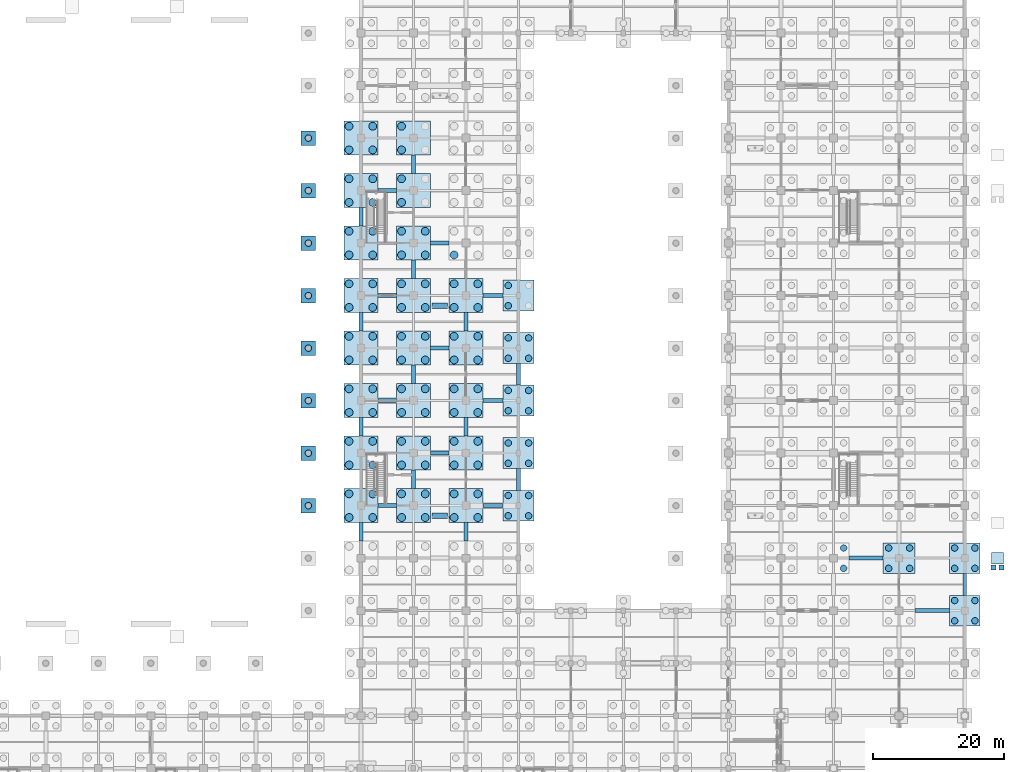
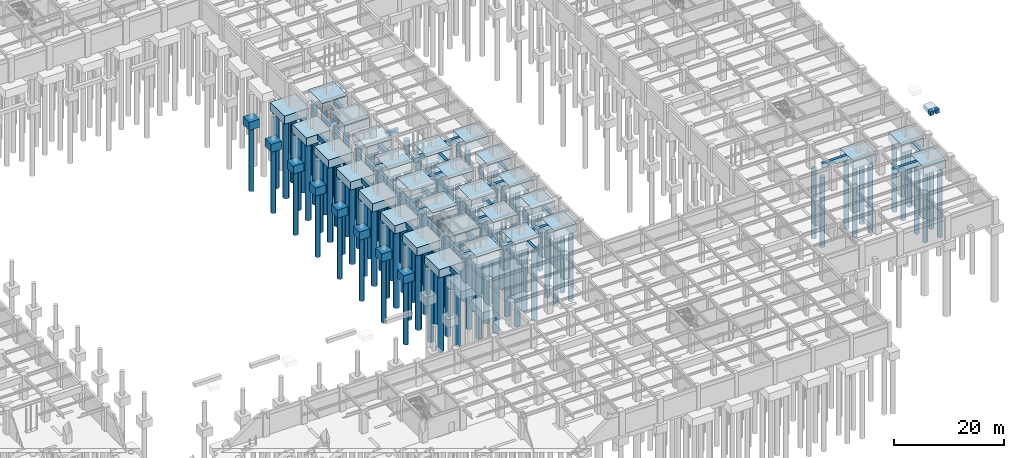
# One storey, part 11 of 97: 121 piles, 68 footings.
"""IFC4 building model written with IfcOpenShell, lengths in metres."""

from ifc_helpers import new_model, si_unit, direction, frame, origin, origin_2d, place, context, subcontext, project, spatial, rectangle, circle, extrude, material, layer, layer_set, material_profile, profile_set, type_object, element, save


model = new_model("IFC4")

# Units and contexts
model_context = context("Model", 3, precision=1e-05, world=origin(), true_north=direction((0.0, 1.0)))
body_context = subcontext(model_context, "Body", "Model", "MODEL_VIEW")
ifc_project = project(units=[si_unit("LENGTHUNIT", "METRE"), si_unit("AREAUNIT", "SQUARE_METRE"), si_unit("VOLUMEUNIT", "CUBIC_METRE"), si_unit("PLANEANGLEUNIT", "RADIAN"), si_unit("MASSUNIT", "GRAM", prefix="KILO")], contexts=[model_context])

# Site, building, storey
site_placement = place(None, origin())
site = spatial("IfcSite", under=ifc_project, at=site_placement, CompositionType="ELEMENT")
building_placement = place(site_placement, origin())
building = spatial("IfcBuilding", under=site, at=building_placement, Name="Haebicheon Civic Stadium", CompositionType="ELEMENT")
storey_placement = place(building_placement, frame((0.0, 0.0, -5.39990234375)))
storey = spatial("IfcBuildingStorey", under=building, at=storey_placement, Name="B1", CompositionType="ELEMENT", Elevation=-5.39990234375)

# Footings
ifc_material_1 = material(Name="Concrete C40/50", Category="concrete")
ifc_layer_1 = layer(ifc_material_1, 1.0, Name="Concrete C40/50")
ifc_layer_set_1 = layer_set([ifc_layer_1], Name="Concrete C40/50")
footing_type_1 = type_object("IfcFootingType", Name="FB-2800x600", PredefinedType="FOOTING_BEAM", material=ifc_layer_set_1)
for number, where, z_axis, x_axis, name in (
    (1, (144.0, 60.0, -1.0), (0.0, 0.0, 1.0), (0.0, 1.0, 0.0), "Ground tie beam Y 18-07"),
    (2, (148.0, 64.0, -1.0), (0.0, 0.0, 1.0), (1.0, 0.0, 0.0), "Ground tie beam X 18-08"),
    (3, (144.0, 76.0, -1.0), (0.0, 0.0, 1.0), (0.0, 1.0, 0.0), "Ground tie beam Y 18-09"),
    (4, (148.0, 80.0, -1.0), (0.0, 0.0, 1.0), (1.0, 0.0, 0.0), "Ground tie beam X 18-10"),
    (5, (144.0, 92.0, -1.0), (0.0, 0.0, 1.0), (0.0, 1.0, 0.0), "Ground tie beam Y 18-11"),
    (6, (148.0, 96.0, -1.0), (0.0, 0.0, 1.0), (1.0, 0.0, 0.0), "Ground tie beam X 18-12"),
    (7, (144.0, 108.0, -1.0), (0.0, 0.0, 1.0), (0.0, 1.0, 0.0), "Ground tie beam Y 18-13"),
    (8, (148.0, 112.0, -1.0), (0.0, 0.0, 1.0), (1.0, 0.0, 0.0), "Ground tie beam X 18-14"),
    (9, (152.0, 68.0, -1.0), (0.0, 0.0, 1.0), (0.0, 1.0, 0.0), "Ground tie beam Y 19-08"),
    (10, (156.0, 72.0, -1.0), (0.0, 0.0, 1.0), (1.0, 0.0, 0.0), "Ground tie beam X 19-09"),
    (11, (152.0, 84.0, -1.0), (0.0, 0.0, 1.0), (0.0, 1.0, 0.0), "Ground tie beam Y 19-10"),
    (12, (156.0, 88.0, -1.0), (0.0, 0.0, 1.0), (1.0, 0.0, 0.0), "Ground tie beam X 19-11"),
    (13, (152.0, 100.0, -1.0), (0.0, 0.0, 1.0), (0.0, 1.0, 0.0), "Ground tie beam Y 19-12"),
    (14, (156.0, 104.0, -1.0), (0.0, 0.0, 1.0), (1.0, 0.0, 0.0), "Ground tie beam X 19-13"),
    (15, (152.0, 116.0, -1.0), (0.0, 0.0, 1.0), (0.0, 1.0, 0.0), "Ground tie beam Y 19-14"),
    (16, (160.0, 60.0, -1.0), (0.0, 0.0, 1.0), (0.0, 1.0, 0.0), "Ground tie beam Y 20-07"),
    (17, (160.0, 76.0, -1.0), (0.0, 0.0, 1.0), (0.0, 1.0, 0.0), "Ground tie beam Y 20-09"),
    (18, (160.0, 92.0, -1.0), (0.0, 0.0, 1.0), (0.0, 1.0, 0.0), "Ground tie beam Y 20-11"),
):
    element("IfcFooting", number, at=place(storey_placement, frame(where, z_axis=z_axis, x_axis=x_axis)), inside=storey, type_object=footing_type_1, material=ifc_layer_set_1, Name=name, PredefinedType="FOOTING_BEAM", context=body_context, shape_type="SweptSolid", body=[
        extrude(rectangle(XDim=2.800048828125, YDim=0.60009765625, at=origin_2d()), origin(), (0.0, 0.0, 1.0), 1.0),
    ])
ifc_material_2 = material(Name="Concrete C40/50", Category="concrete")
ifc_layer_2 = layer(ifc_material_2, 1.0, Name="Concrete C40/50")
ifc_layer_set_2 = layer_set([ifc_layer_2], Name="Concrete C40/50")
footing_type_2 = type_object("IfcFootingType", Name="FB-3050x600", PredefinedType="FOOTING_BEAM", material=ifc_layer_set_2)
for number, where, z_axis, x_axis, name in (
    (19, (164.125, 64.0, -1.0), (0.0, 0.0, 1.0), (1.0, 0.0, 0.0), "Ground tie beam X 20-08"),
    (20, (164.125, 80.0, -1.0), (0.0, 0.0, 1.0), (1.0, 0.0, 0.0), "Ground tie beam X 20-10"),
    (21, (164.125, 96.0, -1.0), (0.0, 0.0, 1.0), (1.0, 0.0, 0.0), "Ground tie beam X 20-12"),
):
    element("IfcFooting", number, at=place(storey_placement, frame(where, z_axis=z_axis, x_axis=x_axis)), inside=storey, type_object=footing_type_2, material=ifc_layer_set_2, Name=name, PredefinedType="FOOTING_BEAM", context=body_context, shape_type="SweptSolid", body=[
        extrude(rectangle(XDim=3.050048828125, YDim=0.60009765625, at=origin_2d()), origin(), (0.0, 0.0, 1.0), 1.0),
    ])
ifc_material_3 = material(Name="Concrete C40/50", Category="concrete")
ifc_layer_3 = layer(ifc_material_3, 1.0, Name="Concrete C40/50")
ifc_layer_set_3 = layer_set([ifc_layer_3], Name="Concrete C40/50")
footing_type_3 = type_object("IfcFootingType", Name="FB-3300x600", PredefinedType="FOOTING_BEAM", material=ifc_layer_set_3)
for number, where, z_axis, x_axis, name in (
    (22, (168.0, 68.0, -1.0), (0.0, 0.0, 1.0), (0.0, 1.0, 0.0), "Ground tie beam Y 21-08"),
    (23, (168.0, 84.0, -1.0), (0.0, 0.0, 1.0), (0.0, 1.0, 0.0), "Ground tie beam Y 21-10"),
    (24, (236.0, 52.0, -1.0), (0.0, 0.0, 1.0), (0.0, 1.0, 0.0), "Ground tie beam Y 29-06"),
):
    element("IfcFooting", number, at=place(storey_placement, frame(where, z_axis=z_axis, x_axis=x_axis)), inside=storey, type_object=footing_type_3, material=ifc_layer_set_3, Name=name, PredefinedType="FOOTING_BEAM", context=body_context, shape_type="SweptSolid", body=[
        extrude(rectangle(XDim=3.300048828125, YDim=0.60009765625, at=origin_2d()), origin(), (0.0, 0.0, 1.0), 1.0),
    ])
ifc_material_4 = material(Name="Concrete C40/50", Category="concrete")
ifc_layer_4 = layer(ifc_material_4, 1.0, Name="Concrete C40/50")
ifc_layer_set_4 = layer_set([ifc_layer_4], Name="Concrete C40/50")
footing_type_4 = type_object("IfcFootingType", Name="FB-5200x600", PredefinedType="FOOTING_BEAM", material=ifc_layer_set_4)
for number, where, z_axis, x_axis, name in (
    (25, (220.949951171875, 56.0, -1.0), (0.0, 0.0, 1.0), (1.0, 0.0, 0.0), "Ground tie beam X 27-07"),
    (26, (231.050048828125, 48.0, -1.0), (0.0, 0.0, 1.0), (1.0, 0.0, 0.0), "Ground tie beam X 28-06"),
):
    element("IfcFooting", number, at=place(storey_placement, frame(where, z_axis=z_axis, x_axis=x_axis)), inside=storey, type_object=footing_type_4, material=ifc_layer_set_4, Name=name, PredefinedType="FOOTING_BEAM", context=body_context, shape_type="SweptSolid", body=[
        extrude(rectangle(XDim=5.199951171875, YDim=0.60009765625, at=origin_2d()), origin(), (0.0, 0.0, 1.0), 1.0),
    ])
ifc_material_5 = material(Name="Concrete C40/50", Category="concrete")
ifc_layer_5 = layer(ifc_material_5, 1.800048828125, Name="Concrete C40/50")
ifc_layer_set_5 = layer_set([ifc_layer_5], Name="Concrete C40/50")
footing_type_5 = type_object("IfcFootingType", Name="PC-1P-2200", PredefinedType="PILE_CAP", material=ifc_layer_set_5)
for number, where, z_axis, x_axis, name in (
    (27, (136.0, 64.0, -1.80029296875), (0.0, 0.0, 1.0), (1.0, 0.0, 0.0), "Bowl pier pile cap FT-BPC-015"),
    (28, (136.0, 72.0, -1.80029296875), (0.0, 0.0, 1.0), (1.0, 0.0, 0.0), "Bowl pier pile cap FT-BPC-016"),
    (29, (136.0, 80.0, -1.80029296875), (0.0, 0.0, 1.0), (1.0, 0.0, 0.0), "Bowl pier pile cap FT-BPC-017"),
    (30, (136.0, 88.0, -1.80029296875), (0.0, 0.0, 1.0), (1.0, 0.0, 0.0), "Bowl pier pile cap FT-BPC-018"),
    (31, (136.0, 96.0, -1.80029296875), (0.0, 0.0, 1.0), (1.0, 0.0, 0.0), "Bowl pier pile cap FT-BPC-019"),
    (32, (136.0, 104.0, -1.80029296875), (0.0, 0.0, 1.0), (1.0, 0.0, 0.0), "Bowl pier pile cap FT-BPC-020"),
    (33, (136.0, 112.0, -1.80029296875), (0.0, 0.0, 1.0), (1.0, 0.0, 0.0), "Bowl pier pile cap FT-BPC-021"),
    (34, (136.0, 120.0, -1.80029296875), (0.0, 0.0, 1.0), (1.0, 0.0, 0.0), "Bowl pier pile cap FT-BPC-022"),
):
    element("IfcFooting", number, at=place(storey_placement, frame(where, z_axis=z_axis, x_axis=x_axis)), inside=storey, type_object=footing_type_5, material=ifc_layer_set_5, Name=name, PredefinedType="PILE_CAP", context=body_context, shape_type="SweptSolid", body=[
        extrude(rectangle(XDim=2.199951171875, YDim=2.199951171875, at=origin_2d()), origin(), (0.0, 0.0, 1.0), 1.800048828125),
    ])
ifc_material_6 = material(Name="Concrete C40/50", Category="concrete")
ifc_layer_6 = layer(ifc_material_6, 1.800048828125, Name="Concrete C40/50")
ifc_layer_set_6 = layer_set([ifc_layer_6], Name="Concrete C40/50")
footing_type_6 = type_object("IfcFootingType", Name="PC-4P-4700", PredefinedType="PILE_CAP", material=ifc_layer_set_6)
for number, where, z_axis, x_axis, name in (
    (35, (168.0, 64.0, -1.80029296875), (0.0, 0.0, 1.0), (1.0, 0.0, 0.0), "Pile cap FT-PC-21-08"),
    (36, (168.0, 72.0, -1.80029296875), (0.0, 0.0, 1.0), (1.0, 0.0, 0.0), "Pile cap FT-PC-21-09"),
    (37, (168.0, 80.0, -1.80029296875), (0.0, 0.0, 1.0), (1.0, 0.0, 0.0), "Pile cap FT-PC-21-10"),
    (38, (168.0, 88.0, -1.80029296875), (0.0, 0.0, 1.0), (1.0, 0.0, 0.0), "Pile cap FT-PC-21-11"),
    (39, (168.0, 96.0, -1.80029296875), (0.0, 0.0, 1.0), (1.0, 0.0, 0.0), "Pile cap FT-PC-21-12"),
    (40, (236.0, 48.0, -1.80029296875), (0.0, 0.0, 1.0), (1.0, 0.0, 0.0), "Pile cap FT-PC-29-06"),
    (41, (236.0, 56.0, -1.80029296875), (0.0, 0.0, 1.0), (1.0, 0.0, 0.0), "Pile cap FT-PC-29-07"),
):
    element("IfcFooting", number, at=place(storey_placement, frame(where, z_axis=z_axis, x_axis=x_axis)), inside=storey, type_object=footing_type_6, material=ifc_layer_set_6, Name=name, PredefinedType="PILE_CAP", context=body_context, shape_type="SweptSolid", body=[
        extrude(rectangle(XDim=4.699951171875, YDim=4.699951171875, at=origin_2d()), origin(), (0.0, 0.0, 1.0), 1.800048828125),
    ])
ifc_material_7 = material(Name="Concrete C40/50", Category="concrete")
ifc_layer_7 = layer(ifc_material_7, 1.800048828125, Name="Concrete C40/50")
ifc_layer_set_7 = layer_set([ifc_layer_7], Name="Concrete C40/50")
footing_type_7 = type_object("IfcFootingType", Name="PC-4P-4900", PredefinedType="PILE_CAP", material=ifc_layer_set_7)
footing_1_placement = place(storey_placement, frame((226.0, 56.0, -1.80029296875), z_axis=(0.0, 0.0, 1.0), x_axis=(1.0, 0.0, 0.0)))
element("IfcFooting", 42, at=footing_1_placement, inside=storey, type_object=footing_type_7, material=ifc_layer_set_7, Name="Pile cap FT-PC-28-07", PredefinedType="PILE_CAP", context=body_context, shape_type="SweptSolid", body=[
    extrude(rectangle(XDim=4.89990234375, YDim=4.699951171875, at=origin_2d()), origin(), (0.0, 0.0, 1.0), 1.800048828125),
])
ifc_material_8 = material(Name="Concrete C40/50", Category="concrete")
ifc_layer_8 = layer(ifc_material_8, 1.800048828125, Name="Concrete C40/50")
ifc_layer_set_8 = layer_set([ifc_layer_8], Name="Concrete C40/50")
footing_type_8 = type_object("IfcFootingType", Name="PC-4P-5200", PredefinedType="PILE_CAP", material=ifc_layer_set_8)
for number, where, z_axis, x_axis, name in (
    (43, (144.0, 64.0, -1.80029296875), (0.0, 0.0, 1.0), (1.0, 0.0, 0.0), "Pile cap FT-PC-18-08"),
    (44, (144.0, 72.0, -1.80029296875), (0.0, 0.0, 1.0), (1.0, 0.0, 0.0), "Pile cap FT-PC-18-09"),
    (45, (144.0, 80.0, -1.80029296875), (0.0, 0.0, 1.0), (1.0, 0.0, 0.0), "Pile cap FT-PC-18-10"),
    (46, (144.0, 88.0, -1.80029296875), (0.0, 0.0, 1.0), (1.0, 0.0, 0.0), "Pile cap FT-PC-18-11"),
    (47, (144.0, 96.0, -1.80029296875), (0.0, 0.0, 1.0), (1.0, 0.0, 0.0), "Pile cap FT-PC-18-12"),
    (48, (144.0, 104.0, -1.80029296875), (0.0, 0.0, 1.0), (1.0, 0.0, 0.0), "Pile cap FT-PC-18-13"),
    (49, (144.0, 112.0, -1.80029296875), (0.0, 0.0, 1.0), (1.0, 0.0, 0.0), "Pile cap FT-PC-18-14"),
    (50, (144.0, 120.0, -1.80029296875), (0.0, 0.0, 1.0), (1.0, 0.0, 0.0), "Pile cap FT-PC-18-15"),
    (51, (152.0, 64.0, -1.80029296875), (0.0, 0.0, 1.0), (1.0, 0.0, 0.0), "Pile cap FT-PC-19-08"),
    (52, (152.0, 72.0, -1.80029296875), (0.0, 0.0, 1.0), (1.0, 0.0, 0.0), "Pile cap FT-PC-19-09"),
    (53, (152.0, 80.0, -1.80029296875), (0.0, 0.0, 1.0), (1.0, 0.0, 0.0), "Pile cap FT-PC-19-10"),
    (54, (152.0, 88.0, -1.80029296875), (0.0, 0.0, 1.0), (1.0, 0.0, 0.0), "Pile cap FT-PC-19-11"),
    (55, (152.0, 96.0, -1.80029296875), (0.0, 0.0, 1.0), (1.0, 0.0, 0.0), "Pile cap FT-PC-19-12"),
    (56, (152.0, 104.0, -1.80029296875), (0.0, 0.0, 1.0), (1.0, 0.0, 0.0), "Pile cap FT-PC-19-13"),
    (57, (152.0, 112.0, -1.80029296875), (0.0, 0.0, 1.0), (1.0, 0.0, 0.0), "Pile cap FT-PC-19-14"),
    (58, (152.0, 120.0, -1.80029296875), (0.0, 0.0, 1.0), (1.0, 0.0, 0.0), "Pile cap FT-PC-19-15"),
    (59, (160.0, 64.0, -1.80029296875), (0.0, 0.0, 1.0), (1.0, 0.0, 0.0), "Pile cap FT-PC-20-08"),
    (60, (160.0, 72.0, -1.80029296875), (0.0, 0.0, 1.0), (1.0, 0.0, 0.0), "Pile cap FT-PC-20-09"),
    (61, (160.0, 80.0, -1.80029296875), (0.0, 0.0, 1.0), (1.0, 0.0, 0.0), "Pile cap FT-PC-20-10"),
    (62, (160.0, 88.0, -1.80029296875), (0.0, 0.0, 1.0), (1.0, 0.0, 0.0), "Pile cap FT-PC-20-11"),
    (63, (160.0, 96.0, -1.80029296875), (0.0, 0.0, 1.0), (1.0, 0.0, 0.0), "Pile cap FT-PC-20-12"),
):
    element("IfcFooting", number, at=place(storey_placement, frame(where, z_axis=z_axis, x_axis=x_axis)), inside=storey, type_object=footing_type_8, material=ifc_layer_set_8, Name=name, PredefinedType="PILE_CAP", context=body_context, shape_type="SweptSolid", body=[
        extrude(rectangle(XDim=5.199951171875, YDim=5.199951171875, at=origin_2d()), origin(), (0.0, 0.0, 1.0), 1.800048828125),
    ])
ifc_material_9 = material(Name="Concrete C35/45", Category="concrete")
ifc_layer_9 = layer(ifc_material_9, 0.89990234375, Name="Concrete C35/45")
ifc_layer_set_9 = layer_set([ifc_layer_9], Name="Concrete C35/45")
footing_type_9 = type_object("IfcFootingType", Name="PF-1800", PredefinedType="PAD_FOOTING", material=ifc_layer_set_9)
footing_2_placement = place(storey_placement, frame((241.0, 56.0, 3.849853515625), z_axis=(0.0, 0.0, 1.0), x_axis=(1.0, 0.0, 0.0)))
element("IfcFooting", 64, at=footing_2_placement, inside=storey, type_object=footing_type_9, material=ifc_layer_set_9, Name="Ramp lower pad footing RMP-04", PredefinedType="PAD_FOOTING", context=body_context, shape_type="SweptSolid", body=[
    extrude(rectangle(XDim=1.800048828125, YDim=1.800048828125, at=origin_2d()), origin(), (0.0, 0.0, 1.0), 0.89990234375),
])
ifc_material_10 = material(Name="Concrete C35/45", Category="concrete")
ifc_layer_10 = layer(ifc_material_10, 0.89990234375, Name="Concrete C35/45")
ifc_layer_set_10 = layer_set([ifc_layer_10], Name="Concrete C35/45")
footing_type_10 = type_object("IfcFootingType", Name="PF-2360x800", PredefinedType="PAD_FOOTING", material=ifc_layer_set_10)
for number, where, z_axis, x_axis, name in (
    (65, (156.050048828125, 62.449951171875, -0.900146484375), (0.0, 0.0, 1.0), (1.0, 0.0, 0.0), "VM-06 vomitory landing pad footing"),
    (66, (156.050048828125, 94.449951171875, -0.900146484375), (0.0, 0.0, 1.0), (1.0, 0.0, 0.0), "VM-07 vomitory landing pad footing"),
):
    element("IfcFooting", number, at=place(storey_placement, frame(where, z_axis=z_axis, x_axis=x_axis)), inside=storey, type_object=footing_type_10, material=ifc_layer_set_10, Name=name, PredefinedType="PAD_FOOTING", context=body_context, shape_type="SweptSolid", body=[
        extrude(rectangle(XDim=2.360107421875, YDim=0.800048828125, at=origin_2d()), origin(), (0.0, 0.0, 1.0), 0.89990234375),
    ])
ifc_material_11 = material(Name="Concrete C35/45", Category="concrete")
ifc_layer_11 = layer(ifc_material_11, 0.89990234375, Name="Concrete C35/45")
ifc_layer_set_11 = layer_set([ifc_layer_11], Name="Concrete C35/45")
footing_type_11 = type_object("IfcFootingType", Name="PF-750", PredefinedType="PAD_FOOTING", material=ifc_layer_set_11)
for number, where, z_axis, x_axis, name in (
    (67, (240.39990234375, 54.60009765625, 3.849853515625), (0.0, 0.0, 1.0), (1.0, 0.0, 0.0), "Ramp landing corner pad footing RMP-04.1"),
    (68, (241.60009765625, 54.60009765625, 3.849853515625), (0.0, 0.0, 1.0), (1.0, 0.0, 0.0), "Ramp landing corner pad footing RMP-04.2"),
):
    element("IfcFooting", number, at=place(storey_placement, frame(where, z_axis=z_axis, x_axis=x_axis)), inside=storey, type_object=footing_type_11, material=ifc_layer_set_11, Name=name, PredefinedType="PAD_FOOTING", context=body_context, shape_type="SweptSolid", body=[
        extrude(rectangle(XDim=0.75, YDim=0.75, at=origin_2d()), origin(), (0.0, 0.0, 1.0), 0.89990234375),
    ])

# Piles
ifc_material_12 = material(Name="Concrete C40/50", Category="concrete")
ifc_material_profile_1 = material_profile(ifc_material_12, circle(Radius=0.5, at=origin_2d()), Name="PILE-D1000")
ifc_profile_set_1 = profile_set([ifc_material_profile_1], Name="Concrete C40/50")
pile_type_1 = type_object("IfcPileType", Name="PL-D1000", PredefinedType="BORED", material=ifc_profile_set_1)
for number, where, z_axis, x_axis, name in (
    (69, (166.449951171875, 62.449951171875, -1.7001953125), (0.0, 0.0, -1.0), (1.0, 0.0, 0.0), "Bored pile 21-08-1"),
    (70, (169.550048828125, 62.449951171875, -1.7001953125), (0.0, 0.0, -1.0), (1.0, 0.0, 0.0), "Bored pile 21-08-2"),
    (71, (166.449951171875, 65.550048828125, -1.7001953125), (0.0, 0.0, -1.0), (1.0, 0.0, 0.0), "Bored pile 21-08-3"),
    (72, (169.550048828125, 65.550048828125, -1.7001953125), (0.0, 0.0, -1.0), (1.0, 0.0, 0.0), "Bored pile 21-08-4"),
    (73, (166.449951171875, 70.449951171875, -1.7001953125), (0.0, 0.0, -1.0), (1.0, 0.0, 0.0), "Bored pile 21-09-1"),
    (74, (169.550048828125, 70.449951171875, -1.7001953125), (0.0, 0.0, -1.0), (1.0, 0.0, 0.0), "Bored pile 21-09-2"),
    (75, (166.449951171875, 73.550048828125, -1.7001953125), (0.0, 0.0, -1.0), (1.0, 0.0, 0.0), "Bored pile 21-09-3"),
    (76, (169.550048828125, 73.550048828125, -1.7001953125), (0.0, 0.0, -1.0), (1.0, 0.0, 0.0), "Bored pile 21-09-4"),
    (77, (166.449951171875, 78.449951171875, -1.7001953125), (0.0, 0.0, -1.0), (1.0, 0.0, 0.0), "Bored pile 21-10-1"),
    (78, (169.550048828125, 78.449951171875, -1.7001953125), (0.0, 0.0, -1.0), (1.0, 0.0, 0.0), "Bored pile 21-10-2"),
    (79, (166.449951171875, 81.550048828125, -1.7001953125), (0.0, 0.0, -1.0), (1.0, 0.0, 0.0), "Bored pile 21-10-3"),
    (80, (169.550048828125, 81.550048828125, -1.7001953125), (0.0, 0.0, -1.0), (1.0, 0.0, 0.0), "Bored pile 21-10-4"),
    (81, (166.449951171875, 86.449951171875, -1.7001953125), (0.0, 0.0, -1.0), (1.0, 0.0, 0.0), "Bored pile 21-11-1"),
    (82, (169.550048828125, 86.449951171875, -1.7001953125), (0.0, 0.0, -1.0), (1.0, 0.0, 0.0), "Bored pile 21-11-2"),
    (83, (166.449951171875, 89.550048828125, -1.7001953125), (0.0, 0.0, -1.0), (1.0, 0.0, 0.0), "Bored pile 21-11-3"),
    (84, (169.550048828125, 89.550048828125, -1.7001953125), (0.0, 0.0, -1.0), (1.0, 0.0, 0.0), "Bored pile 21-11-4"),
    (85, (166.449951171875, 94.449951171875, -1.7001953125), (0.0, 0.0, -1.0), (1.0, 0.0, 0.0), "Bored pile 21-12-1"),
    (86, (166.449951171875, 97.550048828125, -1.7001953125), (0.0, 0.0, -1.0), (1.0, 0.0, 0.0), "Bored pile 21-12-3"),
    (87, (217.550048828125, 54.449951171875, -1.7001953125), (0.0, 0.0, -1.0), (1.0, 0.0, 0.0), "Bored pile 27-07-2"),
    (88, (217.550048828125, 57.550048828125, -1.7001953125), (0.0, 0.0, -1.0), (1.0, 0.0, 0.0), "Bored pile 27-07-4"),
):
    element("IfcPile", number, at=place(storey_placement, frame(where, z_axis=z_axis, x_axis=x_axis)), inside=storey, type_object=pile_type_1, material=ifc_profile_set_1, Name=name, PredefinedType="BORED", context=body_context, shape_type="SweptSolid", body=[
        extrude(circle(Radius=0.5, at=origin_2d()), origin(), (0.0, 0.0, 1.0), 15.5),
    ])
for number, where, z_axis, x_axis, name in (
    (89, (224.39990234375, 54.449951171875, -1.7001953125), (0.0, 0.0, -1.0), (1.0, 0.0, 0.0), "Bored pile 28-07-1"),
    (90, (227.60009765625, 54.449951171875, -1.7001953125), (0.0, 0.0, -1.0), (1.0, 0.0, 0.0), "Bored pile 28-07-2"),
    (91, (224.39990234375, 57.550048828125, -1.7001953125), (0.0, 0.0, -1.0), (1.0, 0.0, 0.0), "Bored pile 28-07-3"),
    (92, (227.60009765625, 57.550048828125, -1.7001953125), (0.0, 0.0, -1.0), (1.0, 0.0, 0.0), "Bored pile 28-07-4"),
):
    element("IfcPile", number, at=place(storey_placement, frame(where, z_axis=z_axis, x_axis=x_axis)), inside=storey, type_object=pile_type_1, material=ifc_profile_set_1, Name=name, PredefinedType="BORED", context=body_context, shape_type="SweptSolid", body=[
        extrude(circle(Radius=0.5, at=origin_2d()), origin(), (0.0, 0.0, 1.0), 15.800048828125),
    ])
for number, where, z_axis, x_axis, name in (
    (93, (234.449951171875, 46.449951171875, -1.7001953125), (0.0, 0.0, -1.0), (1.0, 0.0, 0.0), "Bored pile 29-06-1"),
    (94, (237.550048828125, 46.449951171875, -1.7001953125), (0.0, 0.0, -1.0), (1.0, 0.0, 0.0), "Bored pile 29-06-2"),
    (95, (234.449951171875, 49.550048828125, -1.7001953125), (0.0, 0.0, -1.0), (1.0, 0.0, 0.0), "Bored pile 29-06-3"),
    (96, (237.550048828125, 49.550048828125, -1.7001953125), (0.0, 0.0, -1.0), (1.0, 0.0, 0.0), "Bored pile 29-06-4"),
    (97, (234.449951171875, 54.449951171875, -1.7001953125), (0.0, 0.0, -1.0), (1.0, 0.0, 0.0), "Bored pile 29-07-1"),
    (98, (237.550048828125, 54.449951171875, -1.7001953125), (0.0, 0.0, -1.0), (1.0, 0.0, 0.0), "Bored pile 29-07-2"),
    (99, (234.449951171875, 57.550048828125, -1.7001953125), (0.0, 0.0, -1.0), (1.0, 0.0, 0.0), "Bored pile 29-07-3"),
    (100, (237.550048828125, 57.550048828125, -1.7001953125), (0.0, 0.0, -1.0), (1.0, 0.0, 0.0), "Bored pile 29-07-4"),
):
    element("IfcPile", number, at=place(storey_placement, frame(where, z_axis=z_axis, x_axis=x_axis)), inside=storey, type_object=pile_type_1, material=ifc_profile_set_1, Name=name, PredefinedType="BORED", context=body_context, shape_type="SweptSolid", body=[
        extrude(circle(Radius=0.5, at=origin_2d()), origin(), (0.0, 0.0, 1.0), 15.5),
    ])
for number, where, z_axis, x_axis, name in (
    (101, (136.0, 64.0, -1.7001953125), (0.0, 0.0, -1.0), (1.0, 0.0, 0.0), "Bowl pier bored pile 015"),
    (102, (136.0, 72.0, -1.7001953125), (0.0, 0.0, -1.0), (1.0, 0.0, 0.0), "Bowl pier bored pile 016"),
    (103, (136.0, 80.0, -1.7001953125), (0.0, 0.0, -1.0), (1.0, 0.0, 0.0), "Bowl pier bored pile 017"),
    (104, (136.0, 88.0, -1.7001953125), (0.0, 0.0, -1.0), (1.0, 0.0, 0.0), "Bowl pier bored pile 018"),
    (105, (136.0, 96.0, -1.7001953125), (0.0, 0.0, -1.0), (1.0, 0.0, 0.0), "Bowl pier bored pile 019"),
    (106, (136.0, 104.0, -1.7001953125), (0.0, 0.0, -1.0), (1.0, 0.0, 0.0), "Bowl pier bored pile 020"),
    (107, (136.0, 112.0, -1.7001953125), (0.0, 0.0, -1.0), (1.0, 0.0, 0.0), "Bowl pier bored pile 021"),
    (108, (136.0, 120.0, -1.7001953125), (0.0, 0.0, -1.0), (1.0, 0.0, 0.0), "Bowl pier bored pile 022"),
):
    element("IfcPile", number, at=place(storey_placement, frame(where, z_axis=z_axis, x_axis=x_axis)), inside=storey, type_object=pile_type_1, material=ifc_profile_set_1, Name=name, PredefinedType="BORED", context=body_context, shape_type="SweptSolid", body=[
        extrude(circle(Radius=0.5, at=origin_2d()), origin(), (0.0, 0.0, 1.0), 14.300048828125),
    ])
ifc_material_13 = material(Name="Concrete C40/50", Category="concrete")
ifc_material_profile_2 = material_profile(ifc_material_13, circle(Radius=0.60009765625, at=origin_2d()), Name="PILE-D1200")
ifc_profile_set_2 = profile_set([ifc_material_profile_2], Name="Concrete C40/50")
pile_type_2 = type_object("IfcPileType", Name="PL-D1200", PredefinedType="BORED", material=ifc_profile_set_2)
for number, where, z_axis, x_axis, name in (
    (109, (142.199951171875, 62.199951171875, -1.7001953125), (0.0, 0.0, -1.0), (1.0, 0.0, 0.0), "Bored pile 18-08-1"),
    (110, (145.800048828125, 62.199951171875, -1.7001953125), (0.0, 0.0, -1.0), (1.0, 0.0, 0.0), "Bored pile 18-08-2"),
    (111, (142.199951171875, 65.800048828125, -1.7001953125), (0.0, 0.0, -1.0), (1.0, 0.0, 0.0), "Bored pile 18-08-3"),
    (112, (145.800048828125, 65.800048828125, -1.7001953125), (0.0, 0.0, -1.0), (1.0, 0.0, 0.0), "Bored pile 18-08-4"),
    (113, (142.199951171875, 70.199951171875, -1.7001953125), (0.0, 0.0, -1.0), (1.0, 0.0, 0.0), "Bored pile 18-09-1"),
    (114, (145.800048828125, 70.199951171875, -1.7001953125), (0.0, 0.0, -1.0), (1.0, 0.0, 0.0), "Bored pile 18-09-2"),
    (115, (142.199951171875, 73.800048828125, -1.7001953125), (0.0, 0.0, -1.0), (1.0, 0.0, 0.0), "Bored pile 18-09-3"),
    (116, (145.800048828125, 73.800048828125, -1.7001953125), (0.0, 0.0, -1.0), (1.0, 0.0, 0.0), "Bored pile 18-09-4"),
    (117, (142.199951171875, 78.199951171875, -1.7001953125), (0.0, 0.0, -1.0), (1.0, 0.0, 0.0), "Bored pile 18-10-1"),
    (118, (145.800048828125, 78.199951171875, -1.7001953125), (0.0, 0.0, -1.0), (1.0, 0.0, 0.0), "Bored pile 18-10-2"),
    (119, (142.199951171875, 81.800048828125, -1.7001953125), (0.0, 0.0, -1.0), (1.0, 0.0, 0.0), "Bored pile 18-10-3"),
    (120, (145.800048828125, 81.800048828125, -1.7001953125), (0.0, 0.0, -1.0), (1.0, 0.0, 0.0), "Bored pile 18-10-4"),
    (121, (142.199951171875, 86.199951171875, -1.7001953125), (0.0, 0.0, -1.0), (1.0, 0.0, 0.0), "Bored pile 18-11-1"),
    (122, (145.800048828125, 86.199951171875, -1.7001953125), (0.0, 0.0, -1.0), (1.0, 0.0, 0.0), "Bored pile 18-11-2"),
    (123, (142.199951171875, 89.800048828125, -1.7001953125), (0.0, 0.0, -1.0), (1.0, 0.0, 0.0), "Bored pile 18-11-3"),
    (124, (145.800048828125, 89.800048828125, -1.7001953125), (0.0, 0.0, -1.0), (1.0, 0.0, 0.0), "Bored pile 18-11-4"),
    (125, (142.199951171875, 94.199951171875, -1.7001953125), (0.0, 0.0, -1.0), (1.0, 0.0, 0.0), "Bored pile 18-12-1"),
    (126, (145.800048828125, 94.199951171875, -1.7001953125), (0.0, 0.0, -1.0), (1.0, 0.0, 0.0), "Bored pile 18-12-2"),
    (127, (142.199951171875, 97.800048828125, -1.7001953125), (0.0, 0.0, -1.0), (1.0, 0.0, 0.0), "Bored pile 18-12-3"),
    (128, (145.800048828125, 97.800048828125, -1.7001953125), (0.0, 0.0, -1.0), (1.0, 0.0, 0.0), "Bored pile 18-12-4"),
    (129, (142.199951171875, 102.199951171875, -1.7001953125), (0.0, 0.0, -1.0), (1.0, 0.0, 0.0), "Bored pile 18-13-1"),
    (130, (145.800048828125, 102.199951171875, -1.7001953125), (0.0, 0.0, -1.0), (1.0, 0.0, 0.0), "Bored pile 18-13-2"),
    (131, (142.199951171875, 105.800048828125, -1.7001953125), (0.0, 0.0, -1.0), (1.0, 0.0, 0.0), "Bored pile 18-13-3"),
    (132, (145.800048828125, 105.800048828125, -1.7001953125), (0.0, 0.0, -1.0), (1.0, 0.0, 0.0), "Bored pile 18-13-4"),
    (133, (142.199951171875, 110.199951171875, -1.7001953125), (0.0, 0.0, -1.0), (1.0, 0.0, 0.0), "Bored pile 18-14-1"),
    (134, (145.800048828125, 110.199951171875, -1.7001953125), (0.0, 0.0, -1.0), (1.0, 0.0, 0.0), "Bored pile 18-14-2"),
    (135, (142.199951171875, 113.800048828125, -1.7001953125), (0.0, 0.0, -1.0), (1.0, 0.0, 0.0), "Bored pile 18-14-3"),
    (136, (145.800048828125, 113.800048828125, -1.7001953125), (0.0, 0.0, -1.0), (1.0, 0.0, 0.0), "Bored pile 18-14-4"),
    (137, (142.199951171875, 118.199951171875, -1.7001953125), (0.0, 0.0, -1.0), (1.0, 0.0, 0.0), "Bored pile 18-15-1"),
    (138, (145.800048828125, 118.199951171875, -1.7001953125), (0.0, 0.0, -1.0), (1.0, 0.0, 0.0), "Bored pile 18-15-2"),
    (139, (142.199951171875, 121.800048828125, -1.7001953125), (0.0, 0.0, -1.0), (1.0, 0.0, 0.0), "Bored pile 18-15-3"),
    (140, (145.800048828125, 121.800048828125, -1.7001953125), (0.0, 0.0, -1.0), (1.0, 0.0, 0.0), "Bored pile 18-15-4"),
    (141, (150.199951171875, 62.199951171875, -1.7001953125), (0.0, 0.0, -1.0), (1.0, 0.0, 0.0), "Bored pile 19-08-1"),
    (142, (153.800048828125, 62.199951171875, -1.7001953125), (0.0, 0.0, -1.0), (1.0, 0.0, 0.0), "Bored pile 19-08-2"),
    (143, (150.199951171875, 65.800048828125, -1.7001953125), (0.0, 0.0, -1.0), (1.0, 0.0, 0.0), "Bored pile 19-08-3"),
    (144, (153.800048828125, 65.800048828125, -1.7001953125), (0.0, 0.0, -1.0), (1.0, 0.0, 0.0), "Bored pile 19-08-4"),
    (145, (150.199951171875, 70.199951171875, -1.7001953125), (0.0, 0.0, -1.0), (1.0, 0.0, 0.0), "Bored pile 19-09-1"),
    (146, (153.800048828125, 70.199951171875, -1.7001953125), (0.0, 0.0, -1.0), (1.0, 0.0, 0.0), "Bored pile 19-09-2"),
    (147, (150.199951171875, 73.800048828125, -1.7001953125), (0.0, 0.0, -1.0), (1.0, 0.0, 0.0), "Bored pile 19-09-3"),
    (148, (153.800048828125, 73.800048828125, -1.7001953125), (0.0, 0.0, -1.0), (1.0, 0.0, 0.0), "Bored pile 19-09-4"),
    (149, (150.199951171875, 78.199951171875, -1.7001953125), (0.0, 0.0, -1.0), (1.0, 0.0, 0.0), "Bored pile 19-10-1"),
    (150, (153.800048828125, 78.199951171875, -1.7001953125), (0.0, 0.0, -1.0), (1.0, 0.0, 0.0), "Bored pile 19-10-2"),
    (151, (150.199951171875, 81.800048828125, -1.7001953125), (0.0, 0.0, -1.0), (1.0, 0.0, 0.0), "Bored pile 19-10-3"),
    (152, (153.800048828125, 81.800048828125, -1.7001953125), (0.0, 0.0, -1.0), (1.0, 0.0, 0.0), "Bored pile 19-10-4"),
    (153, (150.199951171875, 86.199951171875, -1.7001953125), (0.0, 0.0, -1.0), (1.0, 0.0, 0.0), "Bored pile 19-11-1"),
    (154, (153.800048828125, 86.199951171875, -1.7001953125), (0.0, 0.0, -1.0), (1.0, 0.0, 0.0), "Bored pile 19-11-2"),
    (155, (150.199951171875, 89.800048828125, -1.7001953125), (0.0, 0.0, -1.0), (1.0, 0.0, 0.0), "Bored pile 19-11-3"),
    (156, (153.800048828125, 89.800048828125, -1.7001953125), (0.0, 0.0, -1.0), (1.0, 0.0, 0.0), "Bored pile 19-11-4"),
    (157, (150.199951171875, 94.199951171875, -1.7001953125), (0.0, 0.0, -1.0), (1.0, 0.0, 0.0), "Bored pile 19-12-1"),
    (158, (153.800048828125, 94.199951171875, -1.7001953125), (0.0, 0.0, -1.0), (1.0, 0.0, 0.0), "Bored pile 19-12-2"),
    (159, (150.199951171875, 97.800048828125, -1.7001953125), (0.0, 0.0, -1.0), (1.0, 0.0, 0.0), "Bored pile 19-12-3"),
    (160, (153.800048828125, 97.800048828125, -1.7001953125), (0.0, 0.0, -1.0), (1.0, 0.0, 0.0), "Bored pile 19-12-4"),
    (161, (150.199951171875, 102.199951171875, -1.7001953125), (0.0, 0.0, -1.0), (1.0, 0.0, 0.0), "Bored pile 19-13-1"),
    (162, (153.800048828125, 102.199951171875, -1.7001953125), (0.0, 0.0, -1.0), (1.0, 0.0, 0.0), "Bored pile 19-13-2"),
    (163, (150.199951171875, 105.800048828125, -1.7001953125), (0.0, 0.0, -1.0), (1.0, 0.0, 0.0), "Bored pile 19-13-3"),
    (164, (153.800048828125, 105.800048828125, -1.7001953125), (0.0, 0.0, -1.0), (1.0, 0.0, 0.0), "Bored pile 19-13-4"),
    (165, (150.199951171875, 110.199951171875, -1.7001953125), (0.0, 0.0, -1.0), (1.0, 0.0, 0.0), "Bored pile 19-14-1"),
    (166, (150.199951171875, 113.800048828125, -1.7001953125), (0.0, 0.0, -1.0), (1.0, 0.0, 0.0), "Bored pile 19-14-3"),
    (167, (150.199951171875, 118.199951171875, -1.7001953125), (0.0, 0.0, -1.0), (1.0, 0.0, 0.0), "Bored pile 19-15-1"),
    (168, (150.199951171875, 121.800048828125, -1.7001953125), (0.0, 0.0, -1.0), (1.0, 0.0, 0.0), "Bored pile 19-15-3"),
    (169, (158.199951171875, 62.199951171875, -1.7001953125), (0.0, 0.0, -1.0), (1.0, 0.0, 0.0), "Bored pile 20-08-1"),
    (170, (161.800048828125, 62.199951171875, -1.7001953125), (0.0, 0.0, -1.0), (1.0, 0.0, 0.0), "Bored pile 20-08-2"),
    (171, (158.199951171875, 65.800048828125, -1.7001953125), (0.0, 0.0, -1.0), (1.0, 0.0, 0.0), "Bored pile 20-08-3"),
    (172, (161.800048828125, 65.800048828125, -1.7001953125), (0.0, 0.0, -1.0), (1.0, 0.0, 0.0), "Bored pile 20-08-4"),
    (173, (158.199951171875, 70.199951171875, -1.7001953125), (0.0, 0.0, -1.0), (1.0, 0.0, 0.0), "Bored pile 20-09-1"),
    (174, (161.800048828125, 70.199951171875, -1.7001953125), (0.0, 0.0, -1.0), (1.0, 0.0, 0.0), "Bored pile 20-09-2"),
    (175, (158.199951171875, 73.800048828125, -1.7001953125), (0.0, 0.0, -1.0), (1.0, 0.0, 0.0), "Bored pile 20-09-3"),
    (176, (161.800048828125, 73.800048828125, -1.7001953125), (0.0, 0.0, -1.0), (1.0, 0.0, 0.0), "Bored pile 20-09-4"),
    (177, (158.199951171875, 78.199951171875, -1.7001953125), (0.0, 0.0, -1.0), (1.0, 0.0, 0.0), "Bored pile 20-10-1"),
    (178, (161.800048828125, 78.199951171875, -1.7001953125), (0.0, 0.0, -1.0), (1.0, 0.0, 0.0), "Bored pile 20-10-2"),
    (179, (158.199951171875, 81.800048828125, -1.7001953125), (0.0, 0.0, -1.0), (1.0, 0.0, 0.0), "Bored pile 20-10-3"),
    (180, (161.800048828125, 81.800048828125, -1.7001953125), (0.0, 0.0, -1.0), (1.0, 0.0, 0.0), "Bored pile 20-10-4"),
    (181, (158.199951171875, 86.199951171875, -1.7001953125), (0.0, 0.0, -1.0), (1.0, 0.0, 0.0), "Bored pile 20-11-1"),
    (182, (161.800048828125, 86.199951171875, -1.7001953125), (0.0, 0.0, -1.0), (1.0, 0.0, 0.0), "Bored pile 20-11-2"),
    (183, (158.199951171875, 89.800048828125, -1.7001953125), (0.0, 0.0, -1.0), (1.0, 0.0, 0.0), "Bored pile 20-11-3"),
    (184, (161.800048828125, 89.800048828125, -1.7001953125), (0.0, 0.0, -1.0), (1.0, 0.0, 0.0), "Bored pile 20-11-4"),
    (185, (158.199951171875, 94.199951171875, -1.7001953125), (0.0, 0.0, -1.0), (1.0, 0.0, 0.0), "Bored pile 20-12-1"),
    (186, (161.800048828125, 94.199951171875, -1.7001953125), (0.0, 0.0, -1.0), (1.0, 0.0, 0.0), "Bored pile 20-12-2"),
    (187, (158.199951171875, 97.800048828125, -1.7001953125), (0.0, 0.0, -1.0), (1.0, 0.0, 0.0), "Bored pile 20-12-3"),
    (188, (161.800048828125, 97.800048828125, -1.7001953125), (0.0, 0.0, -1.0), (1.0, 0.0, 0.0), "Bored pile 20-12-4"),
    (189, (158.199951171875, 102.199951171875, -1.7001953125), (0.0, 0.0, -1.0), (1.0, 0.0, 0.0), "Bored pile 20-13-1"),
):
    element("IfcPile", number, at=place(storey_placement, frame(where, z_axis=z_axis, x_axis=x_axis)), inside=storey, type_object=pile_type_2, material=ifc_profile_set_2, Name=name, PredefinedType="BORED", context=body_context, shape_type="SweptSolid", body=[
        extrude(circle(Radius=0.60009765625, at=origin_2d()), origin(), (0.0, 0.0, 1.0), 16.89990234375),
    ])

save(model, "model.ifc")
